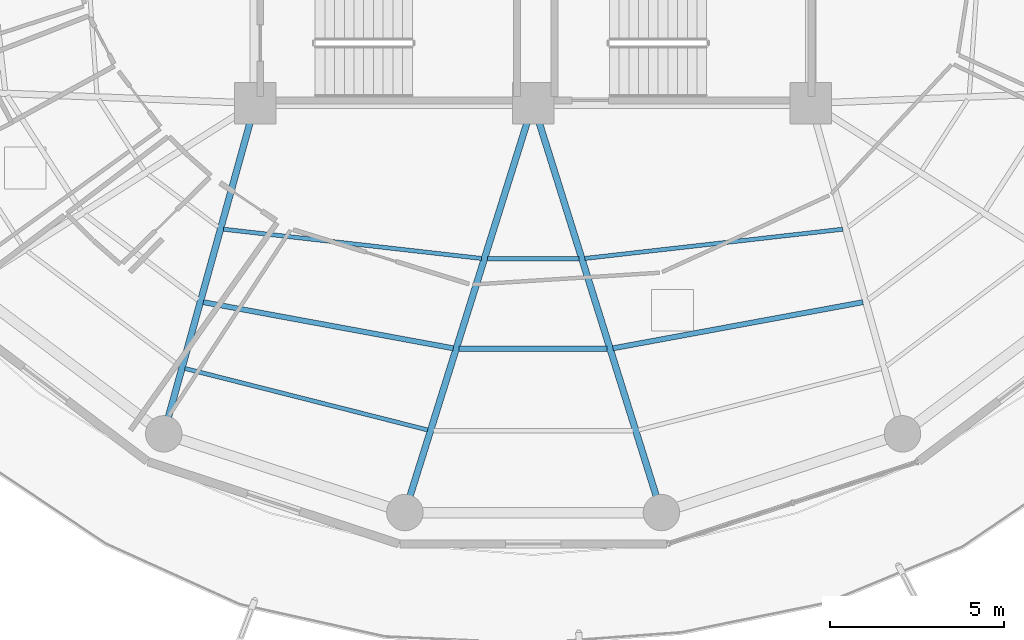
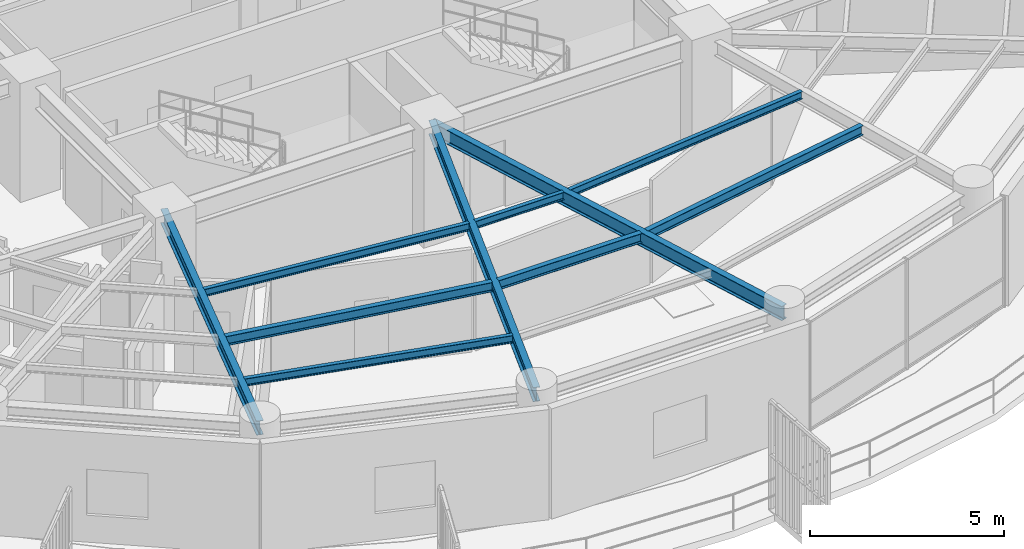
# One storey, part 5 of 30: 10 beams.
"""IFC4 building model written with IfcOpenShell, lengths in metres."""

from ifc_helpers import new_model, si_unit, direction, frame, origin, origin_2d, place, context, subcontext, project, spatial, i_section, extrude, material, material_profile, profile_set, type_object, element, save


model = new_model("IFC4")

# Units and contexts
model_context = context("Model", 3, precision=1e-05, world=origin(), true_north=direction((0.0, 1.0)))
body_context = subcontext(model_context, "Body", "Model", "MODEL_VIEW")
ifc_project = project(units=[si_unit("LENGTHUNIT", "METRE"), si_unit("AREAUNIT", "SQUARE_METRE"), si_unit("VOLUMEUNIT", "CUBIC_METRE"), si_unit("PLANEANGLEUNIT", "RADIAN"), si_unit("MASSUNIT", "GRAM", prefix="KILO")], contexts=[model_context])

# Site, building, storey
site_placement = place(None, origin())
site = spatial("IfcSite", under=ifc_project, at=site_placement, CompositionType="ELEMENT")
building_placement = place(site_placement, origin())
building = spatial("IfcBuilding", under=site, at=building_placement, Name="Kelanora Arch Commons", CompositionType="ELEMENT")
storey_placement = place(building_placement, frame((0.0, 0.0, 208.199951171875)))
storey = spatial("IfcBuildingStorey", under=building, at=storey_placement, Name="L53", CompositionType="ELEMENT", Elevation=208.199951171875)

# Beams
ifc_material = material(Name="Steel S355", Category="steel")
ifc_material_profile_1 = material_profile(ifc_material, i_section(OverallWidth=0.14990234375, OverallDepth=0.300048828125, WebThickness=0.007080078125, FlangeThickness=0.0107421875, FilletRadius=0.014892578125, at=origin_2d()), Name="IPE300")
ifc_profile_set_1 = profile_set([ifc_material_profile_1], Name="Steel S355")
beam_type_1 = type_object("IfcBeamType", Name="BM-JST-01", PredefinedType="JOIST", material=ifc_profile_set_1)
beam_1_placement = place(storey_placement, frame((64.49951171875, 45.270263671875, 3.340087890625), z_axis=(0.983389964671, -0.181505309519, 0.0), x_axis=(0.181505309519, 0.983389964671, 0.0)))
element("IfcBeam", 1, at=beam_1_placement, inside=storey, type_object=beam_type_1, Name="Secondary Chord Joist BJB-24 L53", PredefinedType="JOIST", context=body_context, shape_type="SweptSolid", body=[
    extrude(i_section(OverallWidth=0.14990234375, OverallDepth=0.300048828125, WebThickness=0.007080078125, FlangeThickness=0.0107421875, FilletRadius=0.014892578125, at=origin_2d()), origin(), (0.0, 0.0, 1.0), 7.3212890625),
])
beam_2_placement = place(storey_placement, frame((71.867919921875, 43.92578125, 3.340087890625), z_axis=(1.0, 0.0, 0.0), x_axis=(0.0, 1.0, 0.0)))
element("IfcBeam", 2, at=beam_2_placement, inside=storey, type_object=beam_type_1, Name="Secondary Chord Joist BJB-26 L53", PredefinedType="JOIST", context=body_context, shape_type="SweptSolid", body=[
    extrude(i_section(OverallWidth=0.14990234375, OverallDepth=0.300048828125, WebThickness=0.007080078125, FlangeThickness=0.0107421875, FilletRadius=0.014892578125, at=origin_2d()), origin(), (0.0, 0.0, 1.0), 4.26416015625),
])
beam_3_placement = place(storey_placement, frame((76.30078125, 43.94140625, 3.340087890625), z_axis=(0.983389964671, 0.181505309519, 0.0), x_axis=(-0.181505309519, 0.983389964671, 0.0)))
element("IfcBeam", 3, at=beam_3_placement, inside=storey, type_object=beam_type_1, Name="Secondary Chord Joist BJB-28 L53", PredefinedType="JOIST", context=body_context, shape_type="SweptSolid", body=[
    extrude(i_section(OverallWidth=0.14990234375, OverallDepth=0.300048828125, WebThickness=0.007080078125, FlangeThickness=0.0107421875, FilletRadius=0.014892578125, at=origin_2d()), origin(), (0.0, 0.0, 1.0), 7.3212890625),
])
ifc_material_profile_2 = material_profile(ifc_material, i_section(OverallWidth=0.1201171875, OverallDepth=0.239990234375, WebThickness=0.006103515625, FlangeThickness=0.009765625, FilletRadius=0.014892578125, at=origin_2d()), Name="IPE240")
ifc_profile_set_2 = profile_set([ifc_material_profile_2], Name="Steel S355")
beam_type_2 = type_object("IfcBeamType", Name="BM-JST-02", PredefinedType="JOIST", material=ifc_profile_set_2)
beam_4_placement = place(storey_placement, frame((65.081298828125, 47.371337890625, 3.3701171875), z_axis=(0.993639672263, -0.11260640171, 0.0), x_axis=(0.11260640171, 0.993639672263, 0.0)))
element("IfcBeam", 4, at=beam_4_placement, inside=storey, type_object=beam_type_2, Name="Secondary Chord Joist BJA-24 L53", PredefinedType="JOIST", context=body_context, shape_type="SweptSolid", body=[
    extrude(i_section(OverallWidth=0.1201171875, OverallDepth=0.239990234375, WebThickness=0.006103515625, FlangeThickness=0.009765625, FilletRadius=0.014892578125, at=origin_2d()), origin(), (0.0, 0.0, 1.0), 7.477783203125),
])
beam_5_placement = place(storey_placement, frame((63.970458984375, 43.360107421875, 3.3701171875), z_axis=(0.969370989998, -0.245601066263, 0.0), x_axis=(0.245601066263, 0.969370989998, 0.0)))
element("IfcBeam", 5, at=beam_5_placement, inside=storey, type_object=beam_type_2, Name="Secondary Chord Joist BJC-24 L53", PredefinedType="JOIST", context=body_context, shape_type="SweptSolid", body=[
    extrude(i_section(OverallWidth=0.1201171875, OverallDepth=0.239990234375, WebThickness=0.006103515625, FlangeThickness=0.009765625, FilletRadius=0.014892578125, at=origin_2d()), origin(), (0.0, 0.0, 1.0), 7.2119140625),
])
beam_6_placement = place(storey_placement, frame((72.680908203125, 46.519775390625, 3.3701171875), z_axis=(1.0, 0.0, 0.0), x_axis=(0.0, 1.0, 0.0)))
element("IfcBeam", 6, at=beam_6_placement, inside=storey, type_object=beam_type_2, Name="Secondary Chord Joist BJA-26 L53", PredefinedType="JOIST", context=body_context, shape_type="SweptSolid", body=[
    extrude(i_section(OverallWidth=0.1201171875, OverallDepth=0.239990234375, WebThickness=0.006103515625, FlangeThickness=0.009765625, FilletRadius=0.014892578125, at=origin_2d()), origin(), (0.0, 0.0, 1.0), 2.63818359375),
])
beam_7_placement = place(storey_placement, frame((75.488525390625, 46.529296875, 3.3701171875), z_axis=(0.993639672263, 0.11260640171, 0.0), x_axis=(-0.11260640171, 0.993639672263, 0.0)))
element("IfcBeam", 7, at=beam_7_placement, inside=storey, type_object=beam_type_2, Name="Secondary Chord Joist BJA-28 L53", PredefinedType="JOIST", context=body_context, shape_type="SweptSolid", body=[
    extrude(i_section(OverallWidth=0.1201171875, OverallDepth=0.239990234375, WebThickness=0.006103515625, FlangeThickness=0.009765625, FilletRadius=0.014892578125, at=origin_2d()), origin(), (0.0, 0.0, 1.0), 7.477783203125),
])
ifc_material_profile_3 = material_profile(ifc_material, i_section(OverallWidth=0.18994140625, OverallDepth=0.449951171875, WebThickness=0.009521484375, FlangeThickness=0.0146484375, FilletRadius=0.02099609375, at=origin_2d()), Name="IPE450")
ifc_profile_set_3 = profile_set([ifc_material_profile_3], Name="Steel S355")
beam_type_3 = type_object("IfcBeamType", Name="BM-RAD-Z4", PredefinedType="BEAM", material=ifc_profile_set_3)
beam_8_placement = place(storey_placement, frame((66.0, 51.0, 3.26513671875), z_axis=(-0.267120164296, -0.963663228429, 0.0), x_axis=(0.963663228429, -0.267120164296, 0.0)))
element("IfcBeam", 8, at=beam_8_placement, inside=storey, type_object=beam_type_3, Name="Radial Floor Girder BR-24 L53", PredefinedType="BEAM", context=body_context, shape_type="SweptSolid", body=[
    extrude(i_section(OverallWidth=0.18994140625, OverallDepth=0.449951171875, WebThickness=0.009521484375, FlangeThickness=0.0146484375, FilletRadius=0.02099609375, at=origin_2d()), origin(), (0.0, 0.0, 1.0), 9.8828125),
])
for number, where, z_axis, x_axis, name in (
    (9, (74.0, 51.0, 3.26513671875), (-0.299080457492, -0.954227897279, 0.0), (0.954227897279, -0.299080457492, 0.0), "Radial Floor Girder BR-26 L53"),
    (10, (74.0, 51.0, 3.26513671875), (0.299080457492, -0.954227897279, 0.0), (0.954227897279, 0.299080457492, 0.0), "Radial Floor Girder BR-28 L53"),
):
    element("IfcBeam", number, at=place(storey_placement, frame(where, z_axis=z_axis, x_axis=x_axis)), inside=storey, type_object=beam_type_3, Name=name, PredefinedType="BEAM", context=body_context, shape_type="SweptSolid", body=[
        extrude(i_section(OverallWidth=0.18994140625, OverallDepth=0.449951171875, WebThickness=0.009521484375, FlangeThickness=0.0146484375, FilletRadius=0.02099609375, at=origin_2d()), origin(), (0.0, 0.0, 1.0), 12.35546875),
    ])

save(model, "model.ifc")
